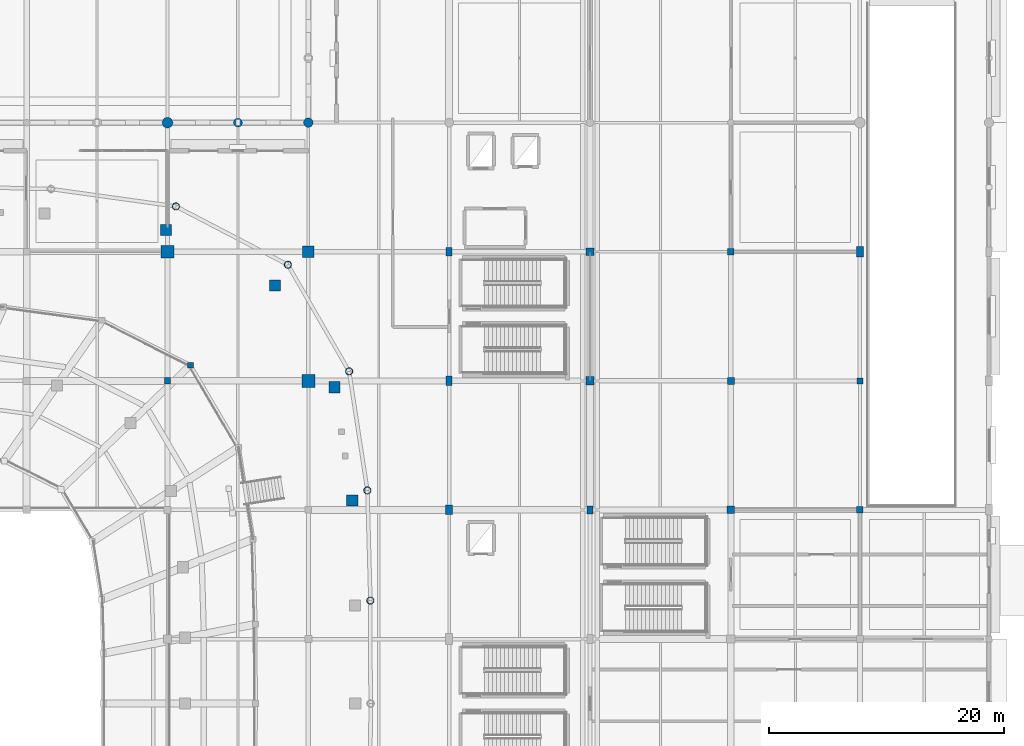
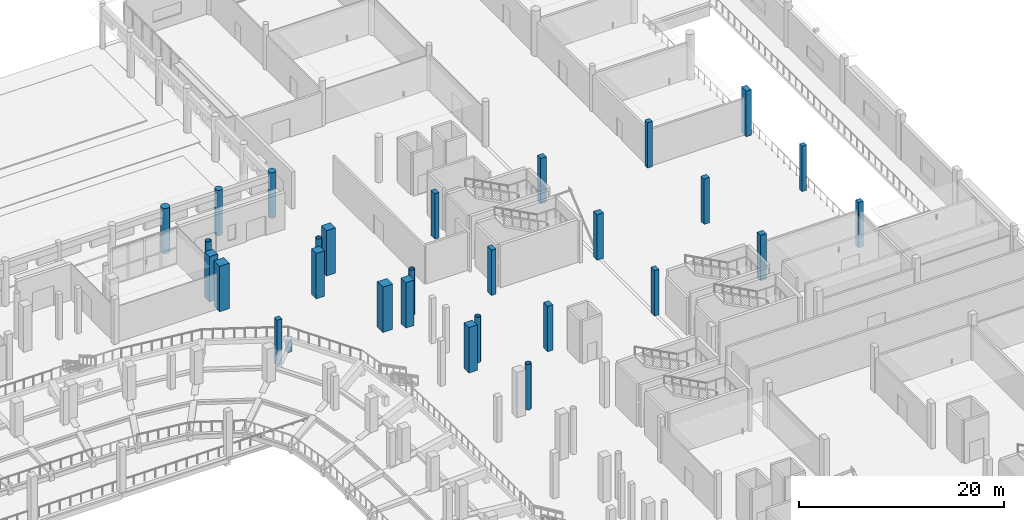
# One storey, part 13 of 120: 29 columns.
"""IFC4 building model written with IfcOpenShell, lengths in metres."""

from ifc_helpers import new_model, si_unit, direction, frame, origin, origin_2d, place, context, subcontext, project, spatial, rectangle, circle, hollow_circle, extrude, material, material_profile, profile_set, type_object, element, save


model = new_model("IFC4")

# Units and contexts
model_context = context("Model", 3, precision=1e-05, world=origin(), true_north=direction((0.0, 1.0)))
body_context = subcontext(model_context, "Body", "Model", "MODEL_VIEW")
ifc_project = project(units=[si_unit("LENGTHUNIT", "METRE"), si_unit("AREAUNIT", "SQUARE_METRE"), si_unit("VOLUMEUNIT", "CUBIC_METRE"), si_unit("PLANEANGLEUNIT", "RADIAN"), si_unit("MASSUNIT", "GRAM", prefix="KILO")], contexts=[model_context])

# Site, building, storey
site_placement = place(None, origin())
site = spatial("IfcSite", under=ifc_project, at=site_placement, CompositionType="ELEMENT")
building_placement = place(site_placement, origin())
building = spatial("IfcBuilding", under=site, at=building_placement, Name="Luwafu Chhajja Arena", CompositionType="ELEMENT")
storey_placement = place(building_placement, origin())
storey = spatial("IfcBuildingStorey", under=building, at=storey_placement, Name="L00", CompositionType="ELEMENT", Elevation=0.0)

# Columns
ifc_material_1 = material(Name="Concrete C35/45", Category="concrete")
ifc_material_profile_1 = material_profile(ifc_material_1, rectangle(XDim=0.5, YDim=0.800048828125, at=origin_2d()), Name="RC 500x800")
ifc_profile_set_1 = profile_set([ifc_material_profile_1], Name="Concrete C35/45")
column_type_1 = type_object("IfcColumnType", Name="BOH Frame Column RC 500x800", PredefinedType="COLUMN", material=ifc_profile_set_1)
column_1_placement = place(storey_placement, frame((152.0, 77.0, 0.0), z_axis=(0.0, 0.0, 1.0), x_axis=(1.0, 0.0, 0.0)))
element("IfcColumn", 1, at=column_1_placement, inside=storey, type_object=column_type_1, Name="L00 Grid Column 14/H", PredefinedType="COLUMN", context=body_context, shape_type="SweptSolid", body=[
    extrude(rectangle(XDim=0.5, YDim=0.800048828125, at=origin_2d()), origin(), (0.0, 0.0, 1.0), 5.39990234375),
])
ifc_material_2 = material(Name="Concrete C40/50", Category="concrete")
ifc_material_profile_2 = material_profile(ifc_material_2, rectangle(XDim=1.0, YDim=1.0, at=origin_2d()), Name="RC 1000x1000")
ifc_profile_set_2 = profile_set([ifc_material_profile_2], Name="Concrete C40/50")
column_type_2 = type_object("IfcColumnType", Name="Bowl Primary Column RC 1000", PredefinedType="COLUMN", material=ifc_profile_set_2)
column_2_placement = place(storey_placement, frame((140.0, 88.0, 0.0), z_axis=(0.0, 0.0, 1.0), x_axis=(1.0, 0.0, 0.0)))
element("IfcColumn", 2, at=column_2_placement, inside=storey, type_object=column_type_2, Name="L00 Grid Column 13/J", PredefinedType="COLUMN", context=body_context, shape_type="SweptSolid", body=[
    extrude(rectangle(XDim=1.0, YDim=1.0, at=origin_2d()), origin(), (0.0, 0.0, 1.0), 5.39990234375),
])
ifc_material_profile_3 = material_profile(ifc_material_2, rectangle(XDim=0.949951171875, YDim=0.949951171875, at=origin_2d()), Name="RC 950x950")
ifc_profile_set_3 = profile_set([ifc_material_profile_3], Name="Concrete C40/50")
column_type_3 = type_object("IfcColumnType", Name="Bowl Raker Support Column RC 950", PredefinedType="COLUMN", material=ifc_profile_set_3)
for number, where, z_axis, x_axis, name in (
    (3, (143.739501953125, 66.79638671875, 0.0), (0.0, 0.0, 1.0), (1.0, 0.0, 0.0), "L00 Upper Bowl Raker Column UO03"),
    (4, (142.227294921875, 76.4580078125, 0.0), (0.0, 0.0, 1.0), (1.0, 0.0, 0.0), "L00 Upper Bowl Raker Column UO04"),
    (5, (137.15380859375, 85.1103515625, 0.0), (0.0, 0.0, 1.0), (1.0, 0.0, 0.0), "L00 Upper Bowl Raker Column UO05"),
    (6, (127.883544921875, 89.845458984375, 0.0), (0.0, 0.0, 1.0), (1.0, 0.0, 0.0), "L00 Upper Bowl Raker Column UO06"),
):
    element("IfcColumn", number, at=place(storey_placement, frame(where, z_axis=z_axis, x_axis=x_axis)), inside=storey, type_object=column_type_3, Name=name, PredefinedType="COLUMN", context=body_context, shape_type="SweptSolid", body=[
        extrude(rectangle(XDim=0.949951171875, YDim=0.949951171875, at=origin_2d()), origin(), (0.0, 0.0, 1.0), 5.39990234375),
    ])
ifc_material_profile_4 = material_profile(ifc_material_2, rectangle(XDim=1.10009765625, YDim=1.10009765625, at=origin_2d()), Name="RC 1100x1100")
ifc_profile_set_4 = profile_set([ifc_material_profile_4], Name="Concrete C40/50")
column_type_4 = type_object("IfcColumnType", Name="Bowl Rim Mega Column RC 1100", PredefinedType="COLUMN", material=ifc_profile_set_4)
for number, where, z_axis, x_axis, name in (
    (7, (128.0, 88.0, 0.0), (0.0, 0.0, 1.0), (1.0, 0.0, 0.0), "L00 Grid Column 12/J"),
    (8, (140.0, 77.0, 0.0), (0.0, 0.0, 1.0), (1.0, 0.0, 0.0), "L00 Grid Column 13/H"),
):
    element("IfcColumn", number, at=place(storey_placement, frame(where, z_axis=z_axis, x_axis=x_axis)), inside=storey, type_object=column_type_4, Name=name, PredefinedType="COLUMN", context=body_context, shape_type="SweptSolid", body=[
        extrude(rectangle(XDim=1.10009765625, YDim=1.10009765625, at=origin_2d()), origin(), (0.0, 0.0, 1.0), 5.39990234375),
    ])
ifc_material_profile_5 = material_profile(ifc_material_1, circle(Radius=0.375, at=origin_2d()), Name="RC COL D750")
ifc_profile_set_5 = profile_set([ifc_material_profile_5], Name="Concrete C35/45")
column_type_5 = type_object("IfcColumnType", Name="Charbagh Cloister Pier D750", PredefinedType="COLUMN", material=ifc_profile_set_5)
column_3_placement = place(storey_placement, frame((134.0, 99.0, 0.0), z_axis=(0.0, 0.0, 1.0), x_axis=(1.0, 0.0, 0.0)))
element("IfcColumn", 9, at=column_3_placement, inside=storey, type_object=column_type_5, Name="L00 Mughal Riwaq Colonnade Pier CHS11", PredefinedType="COLUMN", context=body_context, shape_type="SweptSolid", body=[
    extrude(circle(Radius=0.375, at=origin_2d()), origin(), (0.0, 0.0, 1.0), 5.39990234375),
])
ifc_material_profile_6 = material_profile(ifc_material_2, circle(Radius=0.39990234375, at=origin_2d()), Name="RC COL D800")
ifc_profile_set_6 = profile_set([ifc_material_profile_6], Name="Concrete C40/50")
column_type_6 = type_object("IfcColumnType", Name="Foyer Rotunda Pier D800", PredefinedType="COLUMN", material=ifc_profile_set_6)
column_4_placement = place(storey_placement, frame((140.0, 99.0, 0.0), z_axis=(0.0, 0.0, 1.0), x_axis=(1.0, 0.0, 0.0)))
element("IfcColumn", 10, at=column_4_placement, inside=storey, type_object=column_type_6, Name="L00 Grid Column 13/K", PredefinedType="COLUMN", context=body_context, shape_type="SweptSolid", body=[
    extrude(circle(Radius=0.39990234375, at=origin_2d()), origin(), (0.0, 0.0, 1.0), 5.39990234375),
])
ifc_material_profile_7 = material_profile(ifc_material_1, rectangle(XDim=0.550048828125, YDim=0.550048828125, at=origin_2d()), Name="RC 550x550")
ifc_profile_set_7 = profile_set([ifc_material_profile_7], Name="Concrete C35/45")
column_type_7 = type_object("IfcColumnType", Name="Gallery Column RC 550", PredefinedType="COLUMN", material=ifc_profile_set_7)
for number, where, z_axis, x_axis, name in (
    (11, (128.0, 77.0, 0.0), (0.0, 0.0, 1.0), (1.0, 0.0, 0.0), "L00 Grid Column 12/H"),
    (12, (176.0, 88.0, 0.0), (0.0, 0.0, 1.0), (1.0, 0.0, 0.0), "L00 Grid Column 16/J"),
    (13, (187.0, 66.0, 0.0), (0.0, 0.0, 1.0), (1.0, 0.0, 0.0), "L00 Grid Column 17/G"),
):
    element("IfcColumn", number, at=place(storey_placement, frame(where, z_axis=z_axis, x_axis=x_axis)), inside=storey, type_object=column_type_7, Name=name, PredefinedType="COLUMN", context=body_context, shape_type="SweptSolid", body=[
        extrude(rectangle(XDim=0.550048828125, YDim=0.550048828125, at=origin_2d()), origin(), (0.0, 0.0, 1.0), 5.39990234375),
    ])
ifc_material_profile_8 = material_profile(ifc_material_1, rectangle(XDim=0.60009765625, YDim=0.60009765625, at=origin_2d()), Name="RC 600x600")
ifc_profile_set_8 = profile_set([ifc_material_profile_8], Name="Concrete C35/45")
column_type_8 = type_object("IfcColumnType", Name="Mezzanine Column RC 600", PredefinedType="COLUMN", material=ifc_profile_set_8)
column_5_placement = place(storey_placement, frame((176.0, 77.0, 0.0), z_axis=(0.0, 0.0, 1.0), x_axis=(1.0, 0.0, 0.0)))
element("IfcColumn", 14, at=column_5_placement, inside=storey, type_object=column_type_8, Name="L00 Grid Column 16/H", PredefinedType="COLUMN", context=body_context, shape_type="SweptSolid", body=[
    extrude(rectangle(XDim=0.60009765625, YDim=0.60009765625, at=origin_2d()), origin(), (0.0, 0.0, 1.0), 5.39990234375),
])
ifc_material_profile_9 = material_profile(ifc_material_2, circle(Radius=0.449951171875, at=origin_2d()), Name="RC COL D900")
ifc_profile_set_9 = profile_set([ifc_material_profile_9], Name="Concrete C40/50")
column_type_9 = type_object("IfcColumnType", Name="Mughal Colonnade Drum Pier D900", PredefinedType="COLUMN", material=ifc_profile_set_9)
column_6_placement = place(storey_placement, frame((128.0, 99.0, 0.0), z_axis=(0.0, 0.0, 1.0), x_axis=(1.0, 0.0, 0.0)))
element("IfcColumn", 15, at=column_6_placement, inside=storey, type_object=column_type_9, Name="L00 Grid Column 12/K", PredefinedType="COLUMN", context=body_context, shape_type="SweptSolid", body=[
    extrude(circle(Radius=0.449951171875, at=origin_2d()), origin(), (0.0, 0.0, 1.0), 5.39990234375),
])
ifc_material_profile_10 = material_profile(ifc_material_1, rectangle(XDim=0.5, YDim=0.5, at=origin_2d()), Name="RC 500x500")
ifc_profile_set_10 = profile_set([ifc_material_profile_10], Name="Concrete C35/45")
column_type_10 = type_object("IfcColumnType", Name="Pavilion Column RC 500", PredefinedType="COLUMN", material=ifc_profile_set_10)
column_7_placement = place(storey_placement, frame((187.0, 77.0, 0.0), z_axis=(0.0, 0.0, 1.0), x_axis=(1.0, 0.0, 0.0)))
element("IfcColumn", 16, at=column_7_placement, inside=storey, type_object=column_type_10, Name="L00 Grid Column 17/H", PredefinedType="COLUMN", context=body_context, shape_type="SweptSolid", body=[
    extrude(rectangle(XDim=0.5, YDim=0.5, at=origin_2d()), origin(), (0.0, 0.0, 1.0), 5.39990234375),
])
column_8_placement = place(storey_placement, frame((129.947021484375, 78.327392578125, 0.0), z_axis=(0.0, 0.0, 1.0), x_axis=(1.0, 0.0, 0.0)))
element("IfcColumn", 17, at=column_8_placement, inside=storey, type_object=column_type_10, Name="L00 Raker Heel Plinth 05", PredefinedType="COLUMN", context=body_context, shape_type="SweptSolid", body=[
    extrude(rectangle(XDim=0.5, YDim=0.5, at=origin_2d()), origin(), (0.0, 0.0, 1.0), 1.280029296875),
])
ifc_material_profile_11 = material_profile(ifc_material_1, rectangle(XDim=0.5, YDim=0.699951171875, at=origin_2d()), Name="RC 500x700")
ifc_profile_set_11 = profile_set([ifc_material_profile_11], Name="Concrete C35/45")
column_type_11 = type_object("IfcColumnType", Name="Perimeter Pilaster Column RC 500x700", PredefinedType="COLUMN", material=ifc_profile_set_11)
for number, where, z_axis, x_axis, name in (
    (18, (152.0, 88.0, 0.0), (0.0, 0.0, 1.0), (1.0, 0.0, 0.0), "L00 Grid Column 14/J"),
    (19, (164.0, 66.0, 0.0), (0.0, 0.0, 1.0), (1.0, 0.0, 0.0), "L00 Grid Column 15/G"),
):
    element("IfcColumn", number, at=place(storey_placement, frame(where, z_axis=z_axis, x_axis=x_axis)), inside=storey, type_object=column_type_11, Name=name, PredefinedType="COLUMN", context=body_context, shape_type="SweptSolid", body=[
        extrude(rectangle(XDim=0.5, YDim=0.699951171875, at=origin_2d()), origin(), (0.0, 0.0, 1.0), 5.39990234375),
    ])
ifc_material_profile_12 = material_profile(ifc_material_2, rectangle(XDim=0.60009765625, YDim=0.800048828125, at=origin_2d()), Name="RC 600x800")
ifc_profile_set_12 = profile_set([ifc_material_profile_12], Name="Concrete C40/50")
column_type_12 = type_object("IfcColumnType", Name="Pishtaq Pier Column RC 600x800", PredefinedType="COLUMN", material=ifc_profile_set_12)
column_9_placement = place(storey_placement, frame((152.0, 66.0, 0.0), z_axis=(0.0, 0.0, 1.0), x_axis=(1.0, 0.0, 0.0)))
element("IfcColumn", 20, at=column_9_placement, inside=storey, type_object=column_type_12, Name="L00 Grid Column 14/G", PredefinedType="COLUMN", context=body_context, shape_type="SweptSolid", body=[
    extrude(rectangle(XDim=0.60009765625, YDim=0.800048828125, at=origin_2d()), origin(), (0.0, 0.0, 1.0), 5.39990234375),
])
ifc_material_3 = material(Name="Steel S355", Category="steel")
ifc_material_profile_13 = material_profile(ifc_material_3, hollow_circle(Radius=0.304931640625, WallThickness=0.02490234375, at=origin_2d()), Name="CHS 610x25")
ifc_profile_set_13 = profile_set([ifc_material_profile_13], Name="Steel S355")
column_type_13 = type_object("IfcColumnType", Name="Steel Bowl Drum Column CHS 610", PredefinedType="COLUMN", material=ifc_profile_set_13)
for number, where, z_axis, x_axis, name in (
    (21, (145.28759765625, 58.269775390625, 0.0), (0.0, 0.0, 1.0), (1.0, 0.0, 0.0), "L00 Bowl Drum Column D02"),
    (22, (145.031982421875, 67.6611328125, 0.0), (0.0, 0.0, 1.0), (1.0, 0.0, 0.0), "L00 Bowl Drum Column D03"),
    (23, (143.47607421875, 77.805908203125, 0.0), (0.0, 0.0, 1.0), (1.0, 0.0, 0.0), "L00 Bowl Drum Column D04"),
    (24, (138.256103515625, 86.890869140625, 0.0), (0.0, 0.0, 1.0), (1.0, 0.0, 0.0), "L00 Bowl Drum Column D05"),
    (25, (128.718017578125, 91.86279296875, 0.0), (0.0, 0.0, 1.0), (1.0, 0.0, 0.0), "L00 Bowl Drum Column D06"),
):
    element("IfcColumn", number, at=place(storey_placement, frame(where, z_axis=z_axis, x_axis=x_axis)), inside=storey, type_object=column_type_13, Name=name, PredefinedType="COLUMN", context=body_context, shape_type="SweptSolid", body=[
        extrude(hollow_circle(Radius=0.304931640625, WallThickness=0.02490234375, at=origin_2d()), origin(), (0.0, 0.0, 1.0), 5.39990234375),
    ])
ifc_material_profile_14 = material_profile(ifc_material_1, rectangle(XDim=0.64990234375, YDim=0.64990234375, at=origin_2d()), Name="RC 650x650")
ifc_profile_set_14 = profile_set([ifc_material_profile_14], Name="Concrete C35/45")
column_type_14 = type_object("IfcColumnType", Name="Upper Wing Column RC 650", PredefinedType="COLUMN", material=ifc_profile_set_14)
for number, where, z_axis, x_axis, name in (
    (26, (164.0, 88.0, 0.0), (0.0, 0.0, 1.0), (1.0, 0.0, 0.0), "L00 Grid Column 15/J"),
    (27, (176.0, 66.0, 0.0), (0.0, 0.0, 1.0), (1.0, 0.0, 0.0), "L00 Grid Column 16/G"),
):
    element("IfcColumn", number, at=place(storey_placement, frame(where, z_axis=z_axis, x_axis=x_axis)), inside=storey, type_object=column_type_14, Name=name, PredefinedType="COLUMN", context=body_context, shape_type="SweptSolid", body=[
        extrude(rectangle(XDim=0.64990234375, YDim=0.64990234375, at=origin_2d()), origin(), (0.0, 0.0, 1.0), 5.39990234375),
    ])
ifc_material_profile_15 = material_profile(ifc_material_2, rectangle(XDim=0.60009765625, YDim=0.89990234375, at=origin_2d()), Name="RC 600x900")
ifc_profile_set_15 = profile_set([ifc_material_profile_15], Name="Concrete C40/50")
column_type_15 = type_object("IfcColumnType", Name="Warm-Up Hall Portal Column RC 600x900", PredefinedType="COLUMN", material=ifc_profile_set_15)
column_10_placement = place(storey_placement, frame((187.0, 88.0, 0.0), z_axis=(0.0, 0.0, 1.0), x_axis=(1.0, 0.0, 0.0)))
element("IfcColumn", 28, at=column_10_placement, inside=storey, type_object=column_type_15, Name="L00 Grid Column 17/J", PredefinedType="COLUMN", context=body_context, shape_type="SweptSolid", body=[
    extrude(rectangle(XDim=0.60009765625, YDim=0.89990234375, at=origin_2d()), origin(), (0.0, 0.0, 1.0), 5.39990234375),
])
ifc_material_profile_16 = material_profile(ifc_material_1, rectangle(XDim=0.699951171875, YDim=0.699951171875, at=origin_2d()), Name="RC 700x700")
ifc_profile_set_16 = profile_set([ifc_material_profile_16], Name="Concrete C35/45")
column_type_16 = type_object("IfcColumnType", Name="Wing Frame Column RC 700", PredefinedType="COLUMN", material=ifc_profile_set_16)
column_11_placement = place(storey_placement, frame((164.0, 77.0, 0.0), z_axis=(0.0, 0.0, 1.0), x_axis=(1.0, 0.0, 0.0)))
element("IfcColumn", 29, at=column_11_placement, inside=storey, type_object=column_type_16, Name="L00 Grid Column 15/H", PredefinedType="COLUMN", context=body_context, shape_type="SweptSolid", body=[
    extrude(rectangle(XDim=0.699951171875, YDim=0.699951171875, at=origin_2d()), origin(), (0.0, 0.0, 1.0), 5.39990234375),
])

save(model, "model.ifc")
